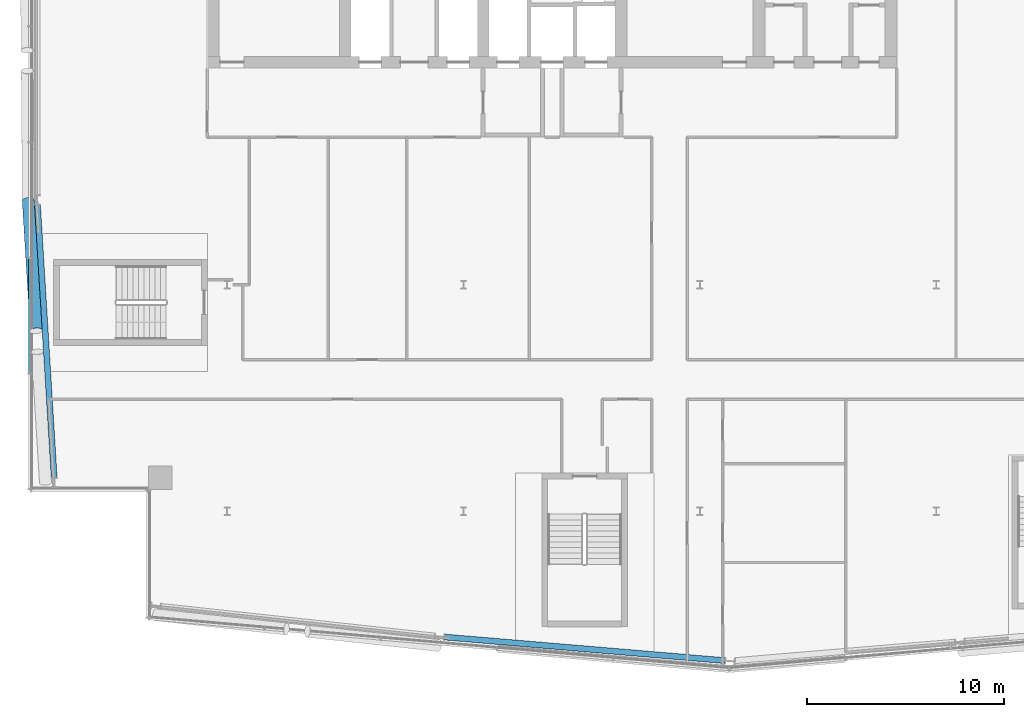
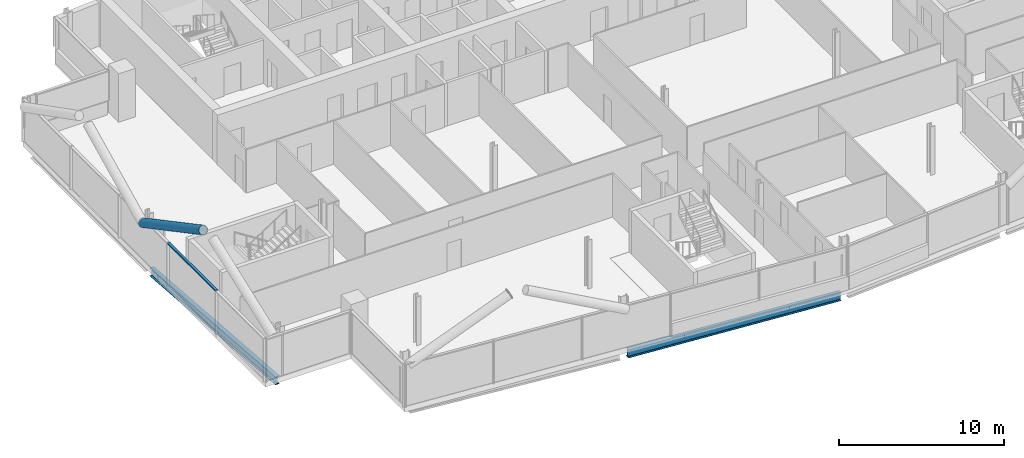
# One storey, part 6 of 26: 2 beams, 2 members, 1 element without a shape of its own.
"""IFC4 building model written with IfcOpenShell, lengths in metres."""

import ifcopenshell
import ifcopenshell.guid

model = None  # the IFC model being written
_history = None  # IfcOwnerHistory: only IFC2X3 demands one
_inside = {}  # id of a spatial element -> (the spatial element, [elements in it])
_under = {}  # id of a project, library or spatial element -> (it, [spatial elements below it])
_declared = {}  # id of a project -> (the project, [libraries it declares])
_typed = {}  # id of a type object -> (the type object, [elements of that type])
_made_of = {}  # id of a material, layer set ... -> (it, [elements and type objects made of it])


def new_model(schema):
    """Start an empty IFC model of exactly this schema.

    Asked for "IFC4X3", IfcOpenShell would pick the latest addendum, in which some entities
    have other attributes; the version numbers below select the first issue.
    IFC2X3 requires an IfcOwnerHistory on every rooted entity: one is made here for all.
    """
    global model, _history
    if schema == "IFC4X3":
        model = ifcopenshell.file(schema_version=(4, 3, 0, 0))
    else:
        model = ifcopenshell.file(schema=schema)
    _inside.clear()
    _under.clear()
    _declared.clear()
    _typed.clear()
    _made_of.clear()
    _history = None
    if model.schema == "IFC2X3":
        org = make("IfcOrganization", Name="unknown")
        user = make(
            "IfcPersonAndOrganization",
            ThePerson=make("IfcPerson", FamilyName="unknown"),
            TheOrganization=org,
        )
        app = make(
            "IfcApplication",
            ApplicationDeveloper=org,
            Version="unknown",
            ApplicationFullName="unknown",
            ApplicationIdentifier="unknown",
        )
        _history = make(
            "IfcOwnerHistory",
            OwningUser=user,
            OwningApplication=app,
            ChangeAction="ADDED",
            CreationDate=0,
        )
    return model


def make(cls, **values):
    """One entity of the class cls with the attributes given. An attribute that is None is left unset."""
    return model.create_entity(
        cls, **{name: value for name, value in values.items() if value is not None}
    )


def rooted(cls, **values):
    """An entity with a GlobalId (a new one), such as an element, a storey or a relation."""
    return make(cls, GlobalId=ifcopenshell.guid.new(), OwnerHistory=_history, **values)


def si_unit(unit_type, name, prefix=None):
    """IfcSIUnit, for example si_unit("LENGTHUNIT", "METRE", prefix="MILLI")."""
    return make("IfcSIUnit", UnitType=unit_type, Prefix=prefix, Name=name)


def assignment(units):
    """IfcUnitAssignment: the units of a project."""
    return None if units is None else make("IfcUnitAssignment", Units=units)


def point(xyz):
    """IfcCartesianPoint."""
    return None if xyz is None else make("IfcCartesianPoint", Coordinates=xyz)


def direction(xyz):
    """IfcDirection."""
    return None if xyz is None else make("IfcDirection", DirectionRatios=xyz)


def frame(location, z_axis=None, x_axis=None):
    """IfcAxis2Placement3D, a coordinate frame: its origin and axes. An axis left out is left unset."""
    return make(
        "IfcAxis2Placement3D",
        Location=point(location),
        Axis=direction(z_axis),
        RefDirection=direction(x_axis),
    )


def frame_2d(location, x_axis=None):
    """IfcAxis2Placement2D, a coordinate frame in the plane: its origin and x axis."""
    return make(
        "IfcAxis2Placement2D", Location=point(location), RefDirection=direction(x_axis)
    )


def origin():
    """The frame at (0, 0, 0) with its axes left unset."""
    return frame((0.0, 0.0, 0.0))


def origin_2d():
    """The frame at (0, 0) in the plane with its x axis left unset."""
    return frame_2d((0.0, 0.0))


def place(relative_to, where):
    """IfcLocalPlacement: puts the frame where relative to a parent placement (None: the world)."""
    return make(
        "IfcLocalPlacement", PlacementRelTo=relative_to, RelativePlacement=where
    )


def context(
    kind, dimensions, precision=None, world=None, true_north=None, identifier=None
):
    """IfcGeometricRepresentationContext, for example the 3D "Model" context."""
    return make(
        "IfcGeometricRepresentationContext",
        ContextIdentifier=identifier,
        ContextType=kind,
        CoordinateSpaceDimension=dimensions,
        Precision=precision,
        WorldCoordinateSystem=world,
        TrueNorth=true_north,
    )


def subcontext(parent, identifier, kind, view, scale=None):
    """IfcGeometricRepresentationSubContext, for example "Body" below "Model"."""
    return make(
        "IfcGeometricRepresentationSubContext",
        ContextIdentifier=identifier,
        ContextType=kind,
        ParentContext=parent,
        TargetScale=scale,
        TargetView=view,
    )


def project(units=None, contexts=None):
    """IfcProject with its units and contexts."""
    return rooted(
        "IfcProject",
        Name="project",
        RepresentationContexts=contexts,
        UnitsInContext=assignment(units),
    )


def spatial(cls, under=None, at=None, **own):
    """A site, building, storey or space (cls), placed at a placement, below another one or the project."""
    s = rooted(cls, ObjectPlacement=at, **own)
    if under is not None:
        _under.setdefault(under.id(), (under, []))[1].append(s)
    return s


def profile(cls, at=None, kind="AREA", **sizes):
    """A parametric profile (cls). Its sizes go by their IFC names, for example OverallWidth=200.0."""
    return make(cls, ProfileType=kind, Position=at, **sizes)


def rectangle(**sizes):
    """IfcRectangleProfileDef."""
    return profile("IfcRectangleProfileDef", **sizes)


def hollow_circle(**sizes):
    """IfcCircleHollowProfileDef."""
    return profile("IfcCircleHollowProfileDef", **sizes)


def i_section(**sizes):
    """IfcIShapeProfileDef."""
    return profile("IfcIShapeProfileDef", **sizes)


def extrude(swept, where, along, depth):
    """IfcExtrudedAreaSolid: the profile swept, set in the frame where, extruded along a direction by depth."""
    return make(
        "IfcExtrudedAreaSolid",
        SweptArea=swept,
        Position=where,
        ExtrudedDirection=direction(along),
        Depth=depth,
    )


def shape(context_of_items, identifier, shape_type, items):
    """IfcShapeRepresentation: the items that make up one representation, for example the "Body"."""
    return make(
        "IfcShapeRepresentation",
        ContextOfItems=context_of_items,
        RepresentationIdentifier=identifier,
        RepresentationType=shape_type,
        Items=items,
    )


def material(Name=None, Category=None):
    """IfcMaterial."""
    return make("IfcMaterial", Name=Name, Category=Category)


def material_profile(
    of_material, cross_section, Name=None, Category=None, Priority=None
):
    """IfcMaterialProfile: a cross section and its material."""
    return make(
        "IfcMaterialProfile",
        Name=Name,
        Material=of_material,
        Profile=cross_section,
        Priority=Priority,
        Category=Category,
    )


def profile_set(profiles, Name=None, composite=None):
    """IfcMaterialProfileSet."""
    return make(
        "IfcMaterialProfileSet",
        Name=Name,
        MaterialProfiles=profiles,
        CompositeProfile=composite,
    )


def made_of(thing, what):
    """Note that an element or type object is made of a material, layer set ...; save() writes the relation."""
    if what is not None:
        _made_of.setdefault(what.id(), (what, []))[1].append(thing)
    return thing


def type_object(cls, material=None, **own):
    """A type object (cls), such as IfcWallType, which elements share."""
    return made_of(rooted(cls, **own), material)


def element(
    cls,
    number,
    at=None,
    inside=None,
    cuts=None,
    type_object=None,
    material=None,
    context=None,
    identifier="Body",
    shape_type=None,
    held_by="IfcProductDefinitionShape",
    body=None,
    shapes=None,
    **own,
):
    """One element of the class cls, such as IfcWall. Its Tag is "e" and its number.

    at: its placement. inside: the storey or other place that contains it. cuts: it is an
    opening in that element (IfcRelVoidsElement). A single representation is given by context,
    identifier, shape_type and body (its items); several are given by shapes. held_by: the class
    of the entity that holds the representations. save() writes the other relations.
    """
    e = rooted(cls, Tag="e%d" % number, ObjectPlacement=at, **own)
    if body is not None:
        shapes = [shape(context, identifier, shape_type, body)]
    if shapes is not None:
        e.Representation = make(held_by, Representations=shapes)
    if inside is not None:
        _inside.setdefault(inside.id(), (inside, []))[1].append(e)
    if cuts is not None:
        rooted(
            "IfcRelVoidsElement", RelatingBuildingElement=cuts, RelatedOpeningElement=e
        )
    if type_object is not None:
        _typed.setdefault(type_object.id(), (type_object, []))[1].append(e)
    return made_of(e, material)


def aggregate(whole, parts):
    """IfcRelAggregates: a whole, such as a stair, and the parts it consists of."""
    return rooted("IfcRelAggregates", RelatingObject=whole, RelatedObjects=parts)


def save(model, path):
    """Write the relations noted so far, then the file.

    IfcRelAggregates (storeys below a building ...), IfcRelContainedInSpatialStructure (elements
    in a storey), IfcRelDefinesByType, IfcRelAssociatesMaterial and IfcRelDeclares: one each for
    every whole, place, type object, material and project.
    """
    for whole, parts in _under.values():
        aggregate(whole, parts)
    for where, things in _inside.values():
        rooted(
            "IfcRelContainedInSpatialStructure",
            RelatedElements=things,
            RelatingStructure=where,
        )
    for kind, things in _typed.values():
        rooted("IfcRelDefinesByType", RelatedObjects=things, RelatingType=kind)
    for what, things in _made_of.values():
        rooted("IfcRelAssociatesMaterial", RelatedObjects=things, RelatingMaterial=what)
    for by, libraries in _declared.values():
        rooted("IfcRelDeclares", RelatingContext=by, RelatedDefinitions=libraries)
    model.write(path)


model = new_model("IFC4")

# Units and contexts
model_context = context("Model", 3, precision=1e-05, world=origin(), true_north=direction((0.0, 1.0)))
body_context = subcontext(model_context, "Body", "Model", "MODEL_VIEW")
ifc_project = project(units=[si_unit("LENGTHUNIT", "METRE"), si_unit("AREAUNIT", "SQUARE_METRE"), si_unit("VOLUMEUNIT", "CUBIC_METRE"), si_unit("PLANEANGLEUNIT", "RADIAN"), si_unit("MASSUNIT", "GRAM", prefix="KILO")], contexts=[model_context])

# Site, building, storey
site_placement = place(None, origin())
site = spatial("IfcSite", under=ifc_project, at=site_placement, CompositionType="ELEMENT")
building_placement = place(site_placement, origin())
building = spatial("IfcBuilding", under=site, at=building_placement, Name="Wharfspan Tower", CompositionType="ELEMENT")
storey_placement = place(building_placement, frame((0.0, 0.0, 217.899902)))
storey = spatial("IfcBuildingStorey", under=building, at=storey_placement, Name="L54", CompositionType="ELEMENT", Elevation=217.899902)

# Beams
ifc_material_1 = material(Name="Steel S355J2", Category="steel")
ifc_material_profile_1 = material_profile(ifc_material_1, i_section(OverallWidth=0.300049, OverallDepth=0.600098, WebThickness=0.015381, FlangeThickness=0.030029, FilletRadius=0.0271, at=origin_2d()))
ifc_profile_set_1 = profile_set([ifc_material_profile_1], Name="Steel S355J2")
beam_type = type_object("IfcBeamType", Name="Edge beam HEB 600", PredefinedType="SPANDREL", material=ifc_profile_set_1)
beam_1_placement = place(storey_placement, frame((35.038574, 5.121582, -0.699951), z_axis=(0.996473, -0.083909, 0.0), x_axis=(0.083909, 0.996473, 0.0)))
element("IfcBeam", 1, at=beam_1_placement, inside=storey, type_object=beam_type, Name="Edge beam S1 L54 PS1.2 to PS1.3", PredefinedType="SPANDREL", context=body_context, shape_type="SweptSolid", body=[
    extrude(i_section(OverallWidth=0.300049, OverallDepth=0.600098, WebThickness=0.015381, FlangeThickness=0.030029, FilletRadius=0.0271, at=origin_2d()), origin(), (0.0, 0.0, 1.0), 14.277344),
])
beam_2_placement = place(storey_placement, frame((14.375732, 27.041992, -0.699951), z_axis=(0.061113, -0.998131, 0.0), x_axis=(0.998131, 0.061113, 0.0)))
element("IfcBeam", 2, at=beam_2_placement, inside=storey, type_object=beam_type, Name="Edge beam L54 PW.1 to PW.2", PredefinedType="SPANDREL", context=body_context, shape_type="SweptSolid", body=[
    extrude(i_section(OverallWidth=0.300049, OverallDepth=0.600098, WebThickness=0.015381, FlangeThickness=0.030029, FilletRadius=0.0271, at=origin_2d()), origin(), (0.0, 0.0, 1.0), 13.846436),
])

# Member
ifc_material_2 = material(Name="Steel S460NH", Category="steel")
ifc_material_profile_2 = material_profile(ifc_material_2, hollow_circle(Radius=0.304932, WallThickness=0.024902, at=origin_2d()))
ifc_profile_set_2 = profile_set([ifc_material_profile_2], Name="Steel S460NH")
member_type_1 = type_object("IfcMemberType", Name="Mega brace CHS 610x25", PredefinedType="BRACE", material=ifc_profile_set_2)
member_1_placement = place(storey_placement, frame((13.905029, 27.300049, 2.900146), z_axis=(0.054615, -0.892302, 0.448123), x_axis=(0.998132, 0.061091, -3e-06)))
element("IfcMember", 3, at=member_1_placement, inside=storey, type_object=member_type_1, Name="Mega brace W4 L55 part 1", PredefinedType="BRACE", context=body_context, shape_type="SweptSolid", body=[
    extrude(hollow_circle(Radius=0.304932, WallThickness=0.024902, at=origin_2d()), origin(), (0.0, 0.0, 1.0), 7.429443),
])

# Curtain wall, member
ifc_material_3 = material(Name="Aluminium 6063-T6", Category="aluminium")
curtain_wall_type = type_object("IfcCurtainWallType", Name="CURTAIN WALL PROW AND END", PredefinedType="NOTDEFINED", material=ifc_material_3)
curtain_wall_placement = place(storey_placement, origin())
curtain_wall = element("IfcCurtainWall", 4, at=curtain_wall_placement, inside=storey, type_object=curtain_wall_type, Name="Curtain wall W", PredefinedType="NOTDEFINED")
ifc_material_profile_3 = material_profile(ifc_material_3, rectangle(XDim=0.179932, YDim=0.080078, at=origin_2d()))
ifc_profile_set_3 = profile_set([ifc_material_profile_3], Name="Aluminium 6063-T6")
member_type_2 = type_object("IfcMemberType", Name="TRANSOM PROW AND END 80x180", PredefinedType="USERDEFINED", material=ifc_profile_set_3)
member_2_placement = place(storey_placement, frame((14.0, 24.330078, 3.160156), z_axis=(0.0, -1.0, 0.0), x_axis=(1.0, 0.0, 0.0)))
member_2 = element("IfcMember", 5, at=member_2_placement, type_object=member_type_2, Name="Curtain wall W transom 4", ObjectType="TRANSOM", PredefinedType="USERDEFINED", context=body_context, shape_type="SweptSolid", body=[
    extrude(rectangle(XDim=0.179932, YDim=0.080078, at=origin_2d()), origin(), (0.0, 0.0, 1.0), 5.820068),
])
aggregate(curtain_wall, [member_2])

save(model, "model.ifc")
